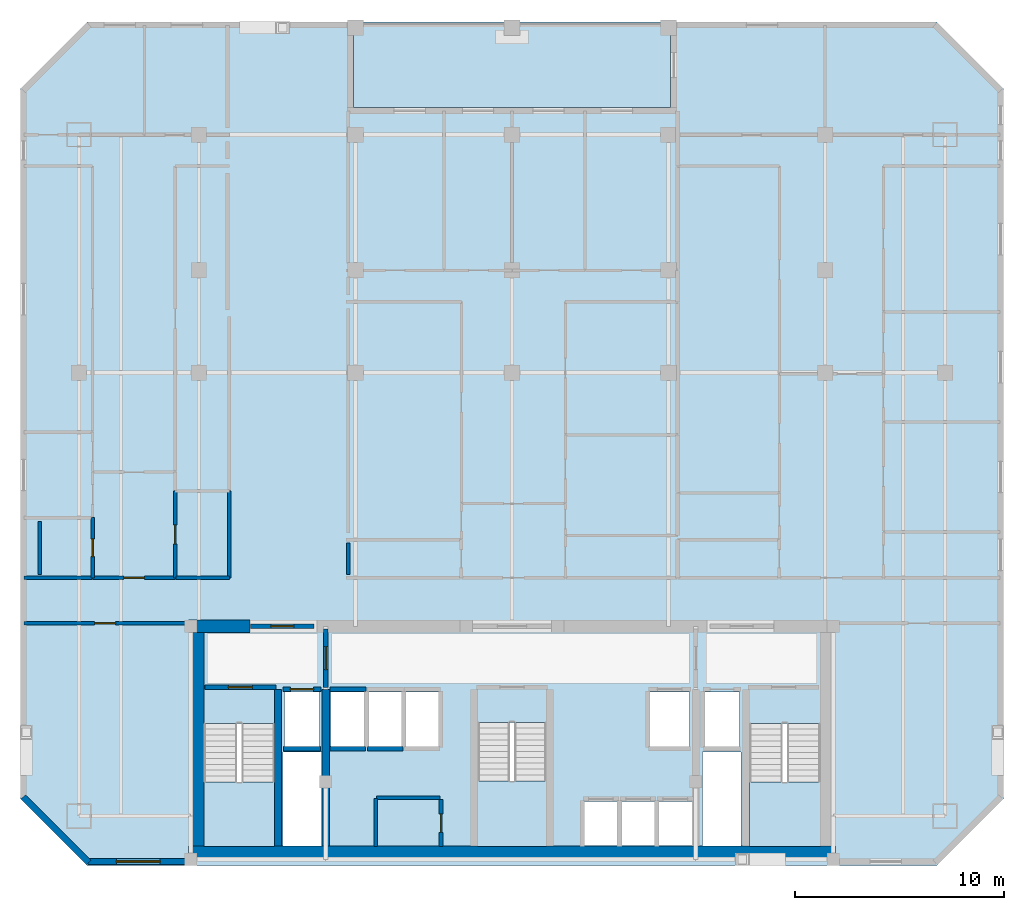
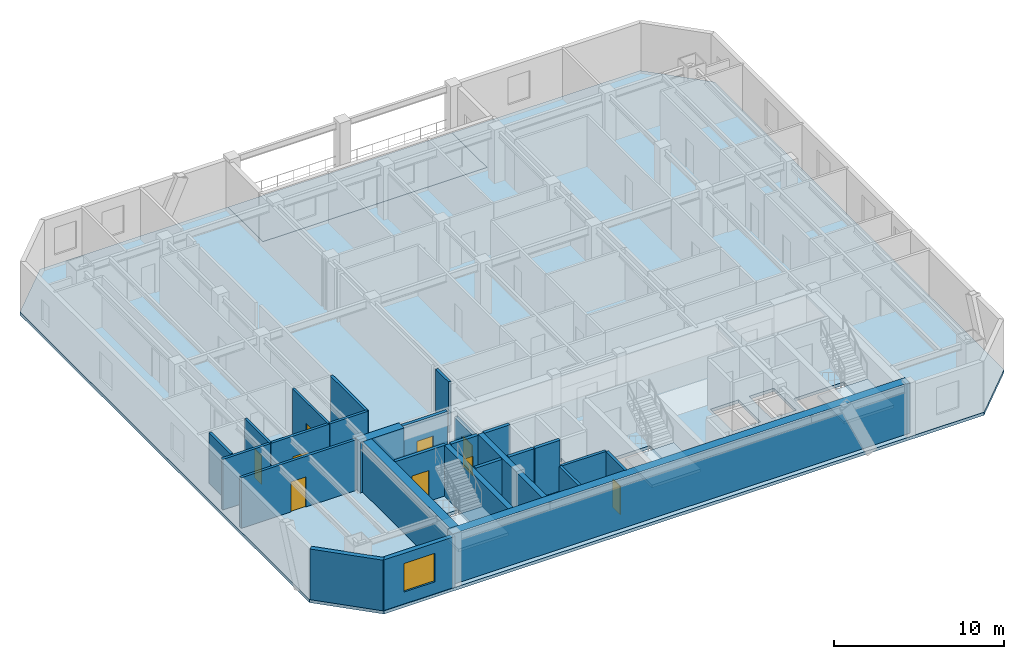
# One storey, part 2 of 8: 27 walls, 9 doors, 5 slabs, 1 window, 10 openings, 3 elements without a shape of their own.
"""IFC4 building model written with IfcOpenShell, lengths in metres."""

import ifcopenshell
import ifcopenshell.guid

model = None  # the IFC model being written
_history = None  # IfcOwnerHistory: only IFC2X3 demands one
_inside = {}  # id of a spatial element -> (the spatial element, [elements in it])
_under = {}  # id of a project, library or spatial element -> (it, [spatial elements below it])
_declared = {}  # id of a project -> (the project, [libraries it declares])
_typed = {}  # id of a type object -> (the type object, [elements of that type])
_made_of = {}  # id of a material, layer set ... -> (it, [elements and type objects made of it])


def new_model(schema):
    """Start an empty IFC model of exactly this schema.

    Asked for "IFC4X3", IfcOpenShell would pick the latest addendum, in which some entities
    have other attributes; the version numbers below select the first issue.
    IFC2X3 requires an IfcOwnerHistory on every rooted entity: one is made here for all.
    """
    global model, _history
    if schema == "IFC4X3":
        model = ifcopenshell.file(schema_version=(4, 3, 0, 0))
    else:
        model = ifcopenshell.file(schema=schema)
    _inside.clear()
    _under.clear()
    _declared.clear()
    _typed.clear()
    _made_of.clear()
    _history = None
    if model.schema == "IFC2X3":
        org = make("IfcOrganization", Name="unknown")
        user = make(
            "IfcPersonAndOrganization",
            ThePerson=make("IfcPerson", FamilyName="unknown"),
            TheOrganization=org,
        )
        app = make(
            "IfcApplication",
            ApplicationDeveloper=org,
            Version="unknown",
            ApplicationFullName="unknown",
            ApplicationIdentifier="unknown",
        )
        _history = make(
            "IfcOwnerHistory",
            OwningUser=user,
            OwningApplication=app,
            ChangeAction="ADDED",
            CreationDate=0,
        )
    return model


def make(cls, **values):
    """One entity of the class cls with the attributes given. An attribute that is None is left unset."""
    return model.create_entity(
        cls, **{name: value for name, value in values.items() if value is not None}
    )


def rooted(cls, **values):
    """An entity with a GlobalId (a new one), such as an element, a storey or a relation."""
    return make(cls, GlobalId=ifcopenshell.guid.new(), OwnerHistory=_history, **values)


def si_unit(unit_type, name, prefix=None):
    """IfcSIUnit, for example si_unit("LENGTHUNIT", "METRE", prefix="MILLI")."""
    return make("IfcSIUnit", UnitType=unit_type, Prefix=prefix, Name=name)


def assignment(units):
    """IfcUnitAssignment: the units of a project."""
    return None if units is None else make("IfcUnitAssignment", Units=units)


def point(xyz):
    """IfcCartesianPoint."""
    return None if xyz is None else make("IfcCartesianPoint", Coordinates=xyz)


def direction(xyz):
    """IfcDirection."""
    return None if xyz is None else make("IfcDirection", DirectionRatios=xyz)


def frame(location, z_axis=None, x_axis=None):
    """IfcAxis2Placement3D, a coordinate frame: its origin and axes. An axis left out is left unset."""
    return make(
        "IfcAxis2Placement3D",
        Location=point(location),
        Axis=direction(z_axis),
        RefDirection=direction(x_axis),
    )


def frame_2d(location, x_axis=None):
    """IfcAxis2Placement2D, a coordinate frame in the plane: its origin and x axis."""
    return make(
        "IfcAxis2Placement2D", Location=point(location), RefDirection=direction(x_axis)
    )


def origin():
    """The frame at (0, 0, 0) with its axes left unset."""
    return frame((0.0, 0.0, 0.0))


def place(relative_to, where):
    """IfcLocalPlacement: puts the frame where relative to a parent placement (None: the world)."""
    return make(
        "IfcLocalPlacement", PlacementRelTo=relative_to, RelativePlacement=where
    )


def context(
    kind, dimensions, precision=None, world=None, true_north=None, identifier=None
):
    """IfcGeometricRepresentationContext, for example the 3D "Model" context."""
    return make(
        "IfcGeometricRepresentationContext",
        ContextIdentifier=identifier,
        ContextType=kind,
        CoordinateSpaceDimension=dimensions,
        Precision=precision,
        WorldCoordinateSystem=world,
        TrueNorth=true_north,
    )


def subcontext(parent, identifier, kind, view, scale=None):
    """IfcGeometricRepresentationSubContext, for example "Body" below "Model"."""
    return make(
        "IfcGeometricRepresentationSubContext",
        ContextIdentifier=identifier,
        ContextType=kind,
        ParentContext=parent,
        TargetScale=scale,
        TargetView=view,
    )


def project(units=None, contexts=None):
    """IfcProject with its units and contexts."""
    return rooted(
        "IfcProject",
        Name="project",
        RepresentationContexts=contexts,
        UnitsInContext=assignment(units),
    )


def spatial(cls, under=None, at=None, **own):
    """A site, building, storey or space (cls), placed at a placement, below another one or the project."""
    s = rooted(cls, ObjectPlacement=at, **own)
    if under is not None:
        _under.setdefault(under.id(), (under, []))[1].append(s)
    return s


def polyline(points):
    """IfcPolyline through the points."""
    return make("IfcPolyline", Points=[point(p) for p in points])


def profile(cls, at=None, kind="AREA", **sizes):
    """A parametric profile (cls). Its sizes go by their IFC names, for example OverallWidth=200.0."""
    return make(cls, ProfileType=kind, Position=at, **sizes)


def rectangle(**sizes):
    """IfcRectangleProfileDef."""
    return profile("IfcRectangleProfileDef", **sizes)


def outline(outer, holes=None, kind="AREA"):
    """IfcArbitraryClosedProfileDef: a profile drawn as a closed curve; with holes, ...WithVoids."""
    if holes is None:
        return make("IfcArbitraryClosedProfileDef", ProfileType=kind, OuterCurve=outer)
    return make(
        "IfcArbitraryProfileDefWithVoids",
        ProfileType=kind,
        OuterCurve=outer,
        InnerCurves=holes,
    )


def extrude(swept, where, along, depth):
    """IfcExtrudedAreaSolid: the profile swept, set in the frame where, extruded along a direction by depth."""
    return make(
        "IfcExtrudedAreaSolid",
        SweptArea=swept,
        Position=where,
        ExtrudedDirection=direction(along),
        Depth=depth,
    )


def shape(context_of_items, identifier, shape_type, items):
    """IfcShapeRepresentation: the items that make up one representation, for example the "Body"."""
    return make(
        "IfcShapeRepresentation",
        ContextOfItems=context_of_items,
        RepresentationIdentifier=identifier,
        RepresentationType=shape_type,
        Items=items,
    )


def material(Name=None, Category=None):
    """IfcMaterial."""
    return make("IfcMaterial", Name=Name, Category=Category)


def layer(
    of_material, thickness, ventilated=None, Name=None, Category=None, Priority=None
):
    """IfcMaterialLayer: one layer of a wall or slab, of a material (None: an air gap)."""
    return make(
        "IfcMaterialLayer",
        Material=of_material,
        LayerThickness=thickness,
        IsVentilated=ventilated,
        Name=Name,
        Category=Category,
        Priority=Priority,
    )


def layer_set(layers, Name=None):
    """IfcMaterialLayerSet."""
    return make("IfcMaterialLayerSet", MaterialLayers=layers, LayerSetName=Name)


def made_of(thing, what):
    """Note that an element or type object is made of a material, layer set ...; save() writes the relation."""
    if what is not None:
        _made_of.setdefault(what.id(), (what, []))[1].append(thing)
    return thing


def type_object(cls, material=None, **own):
    """A type object (cls), such as IfcWallType, which elements share."""
    return made_of(rooted(cls, **own), material)


def element(
    cls,
    number,
    at=None,
    inside=None,
    cuts=None,
    type_object=None,
    material=None,
    context=None,
    identifier="Body",
    shape_type=None,
    held_by="IfcProductDefinitionShape",
    body=None,
    shapes=None,
    **own,
):
    """One element of the class cls, such as IfcWall. Its Tag is "e" and its number.

    at: its placement. inside: the storey or other place that contains it. cuts: it is an
    opening in that element (IfcRelVoidsElement). A single representation is given by context,
    identifier, shape_type and body (its items); several are given by shapes. held_by: the class
    of the entity that holds the representations. save() writes the other relations.
    """
    e = rooted(cls, Tag="e%d" % number, ObjectPlacement=at, **own)
    if body is not None:
        shapes = [shape(context, identifier, shape_type, body)]
    if shapes is not None:
        e.Representation = make(held_by, Representations=shapes)
    if inside is not None:
        _inside.setdefault(inside.id(), (inside, []))[1].append(e)
    if cuts is not None:
        rooted(
            "IfcRelVoidsElement", RelatingBuildingElement=cuts, RelatedOpeningElement=e
        )
    if type_object is not None:
        _typed.setdefault(type_object.id(), (type_object, []))[1].append(e)
    return made_of(e, material)


def fill(opening, filler):
    """IfcRelFillsElement: the door or window that sits in an opening."""
    return rooted(
        "IfcRelFillsElement",
        RelatingOpeningElement=opening,
        RelatedBuildingElement=filler,
    )


def aggregate(whole, parts):
    """IfcRelAggregates: a whole, such as a stair, and the parts it consists of."""
    return rooted("IfcRelAggregates", RelatingObject=whole, RelatedObjects=parts)


def save(model, path):
    """Write the relations noted so far, then the file.

    IfcRelAggregates (storeys below a building ...), IfcRelContainedInSpatialStructure (elements
    in a storey), IfcRelDefinesByType, IfcRelAssociatesMaterial and IfcRelDeclares: one each for
    every whole, place, type object, material and project.
    """
    for whole, parts in _under.values():
        aggregate(whole, parts)
    for where, things in _inside.values():
        rooted(
            "IfcRelContainedInSpatialStructure",
            RelatedElements=things,
            RelatingStructure=where,
        )
    for kind, things in _typed.values():
        rooted("IfcRelDefinesByType", RelatedObjects=things, RelatingType=kind)
    for what, things in _made_of.values():
        rooted("IfcRelAssociatesMaterial", RelatedObjects=things, RelatingMaterial=what)
    for by, libraries in _declared.values():
        rooted("IfcRelDeclares", RelatingContext=by, RelatedDefinitions=libraries)
    model.write(path)


model = new_model("IFC4")

# Units and contexts
model_context = context("Model", 3, precision=1e-05, world=origin(), true_north=direction((0.0, 1.0)))
body_context = subcontext(model_context, "Body", "Model", "MODEL_VIEW")
ifc_project = project(units=[si_unit("LENGTHUNIT", "METRE"), si_unit("AREAUNIT", "SQUARE_METRE"), si_unit("VOLUMEUNIT", "CUBIC_METRE"), si_unit("PLANEANGLEUNIT", "RADIAN"), si_unit("MASSUNIT", "GRAM", prefix="KILO")], contexts=[model_context])

# Site, building, storey
site_placement = place(None, origin())
site = spatial("IfcSite", under=ifc_project, at=site_placement, CompositionType="ELEMENT")
building_placement = place(site_placement, origin())
building = spatial("IfcBuilding", under=site, at=building_placement, Name="Ventersveld Concourse Tower", CompositionType="ELEMENT")
storey_placement = place(building_placement, frame((0.0, 0.0, 192.60009765625)))
storey = spatial("IfcBuildingStorey", under=building, at=storey_placement, Name="L47", CompositionType="ELEMENT", Elevation=192.60009765625)

# Slabs
ifc_material_1 = material(Name="Concrete C50/60", Category="concrete")
ifc_layer_1 = layer(ifc_material_1, 0.219970703125)
ifc_layer_set_1 = layer_set([ifc_layer_1], Name="Concrete C50/60")
slab_type_1 = type_object("IfcSlabType", Name="SL-FLR-220", PredefinedType="FLOOR", material=ifc_layer_set_1)
slab_1_placement = place(storey_placement, frame((0.0, 0.0, -0.22021484375)))
element("IfcSlab", 1, at=slab_1_placement, inside=storey, type_object=slab_type_1, Name="L47 Composite Floor Slab", PredefinedType="FLOOR", context=body_context, shape_type="SweptSolid", body=[
    extrude(outline(polyline([(8.39990234375, 0.0), (49.10009765625, 0.0), (52.300048828125, 3.199951171875), (52.300048828125, 37.199951171875), (49.10009765625, 40.39990234375), (36.35009765625, 40.39990234375), (36.35009765625, 36.300048828125), (21.14990234375, 36.300048828125), (21.14990234375, 40.39990234375), (8.39990234375, 40.39990234375), (5.199951171875, 37.199951171875), (5.199951171875, 3.199951171875), (8.39990234375, 0.0)]), holes=[polyline([(13.97998046875, 6.794921875), (13.97998046875, 0.89990234375), (17.3798828125, 0.89990234375), (17.3798828125, 6.794921875), (13.97998046875, 6.794921875)]), polyline([(40.1201171875, 6.794921875), (40.1201171875, 0.89990234375), (43.52001953125, 0.89990234375), (43.52001953125, 6.794921875), (40.1201171875, 6.794921875)]), polyline([(27.10009765625, 6.844970703125), (27.10009765625, 0.89990234375), (30.39990234375, 0.89990234375), (30.39990234375, 6.844970703125), (27.10009765625, 6.844970703125)]), polyline([(17.85009765625, 5.699951171875), (19.530029296875, 5.699951171875), (19.530029296875, 8.300048828125), (17.85009765625, 8.300048828125), (17.85009765625, 5.699951171875)]), polyline([(37.969970703125, 5.699951171875), (39.64990234375, 5.699951171875), (39.64990234375, 8.300048828125), (37.969970703125, 8.300048828125), (37.969970703125, 5.699951171875)]), polyline([(35.35009765625, 5.699951171875), (37.25, 5.699951171875), (37.25, 8.300048828125), (35.35009765625, 8.300048828125), (35.35009765625, 5.699951171875)]), polyline([(32.2099609375, 0.949951171875), (33.81005859375, 0.949951171875), (33.81005859375, 3.050048828125), (32.2099609375, 3.050048828125), (32.2099609375, 0.949951171875)]), polyline([(33.989990234375, 0.949951171875), (35.590087890625, 0.949951171875), (35.590087890625, 3.050048828125), (33.989990234375, 3.050048828125), (33.989990234375, 0.949951171875)]), polyline([(35.77001953125, 0.949951171875), (37.3701171875, 0.949951171875), (37.3701171875, 3.050048828125), (35.77001953125, 3.050048828125), (35.77001953125, 0.949951171875)]), polyline([(20.090087890625, 5.699951171875), (21.68994140625, 5.699951171875), (21.68994140625, 8.300048828125), (20.090087890625, 8.300048828125), (20.090087890625, 5.699951171875)]), polyline([(21.8701171875, 5.699951171875), (23.469970703125, 5.699951171875), (23.469970703125, 8.300048828125), (21.8701171875, 8.300048828125), (21.8701171875, 5.699951171875)]), polyline([(23.64990234375, 5.699951171875), (25.25, 5.699951171875), (25.25, 8.300048828125), (23.64990234375, 8.300048828125), (23.64990234375, 5.699951171875)]), polyline([(17.780029296875, 0.919921875), (19.6201171875, 0.919921875), (19.6201171875, 5.419921875), (17.780029296875, 5.419921875), (17.780029296875, 0.919921875)]), polyline([(37.8798828125, 0.919921875), (39.719970703125, 0.919921875), (39.719970703125, 5.419921875), (37.8798828125, 5.419921875), (37.8798828125, 0.919921875)])]), origin(), (0.0, 0.0, 1.0), 0.22021484375),
])
slab_2_placement = place(storey_placement, frame((0.0, 0.0, -0.22021484375)))
element("IfcSlab", 2, at=slab_2_placement, inside=storey, type_object=slab_type_1, Name="L47 Outdoor Terrace Slab NOTCH-N", PredefinedType="FLOOR", context=body_context, shape_type="SweptSolid", body=[
    extrude(outline(polyline([(21.14990234375, 36.300048828125), (36.35009765625, 36.300048828125), (36.35009765625, 40.39990234375), (21.14990234375, 40.39990234375), (21.14990234375, 36.300048828125)])), origin(), (0.0, 0.0, 1.0), 0.22021484375),
])

# Stair, slab
stair_type_1 = type_object("IfcStairType", Name="ST-DOG-160", PredefinedType="HALF_TURN_STAIR", material=ifc_material_1)
stair_1_placement = place(storey_placement, origin())
stair_1 = element("IfcStair", 3, at=stair_1_placement, inside=storey, type_object=stair_type_1, Name="L47 Protected Tower Escape Stair ST-01", PredefinedType="HALF_TURN_STAIR")
ifc_layer_2 = layer(ifc_material_1, 0.199951171875)
ifc_layer_set_2 = layer_set([ifc_layer_2], Name="Concrete C50/60")
slab_type_2 = type_object("IfcSlabType", Name="SL-LND-200", PredefinedType="LANDING", material=ifc_layer_set_2)
slab_3_placement = place(storey_placement, frame((0.0, 0.0, 1.724853515625)))
slab_3 = element("IfcSlab", 4, at=slab_3_placement, type_object=slab_type_2, Name="ST-01 landing 1", PredefinedType="LANDING", context=body_context, shape_type="SweptSolid", body=[
    extrude(outline(polyline([(13.97998046875, 4.0), (13.97998046875, 0.89990234375), (17.3798828125, 0.89990234375), (17.3798828125, 4.0), (13.97998046875, 4.0)])), origin(), (0.0, 0.0, 1.0), 0.199951171875),
])
aggregate(stair_1, [slab_3])

stair_2_placement = place(storey_placement, origin())
stair_2 = element("IfcStair", 5, at=stair_2_placement, inside=storey, type_object=stair_type_1, Name="L47 Protected Tower Escape Stair ST-02", PredefinedType="HALF_TURN_STAIR")
slab_4_placement = place(storey_placement, frame((0.0, 0.0, 1.724853515625)))
slab_4 = element("IfcSlab", 6, at=slab_4_placement, type_object=slab_type_2, Name="ST-02 landing 1", PredefinedType="LANDING", context=body_context, shape_type="SweptSolid", body=[
    extrude(outline(polyline([(40.1201171875, 4.0), (40.1201171875, 0.89990234375), (43.52001953125, 0.89990234375), (43.52001953125, 4.0), (40.1201171875, 4.0)])), origin(), (0.0, 0.0, 1.0), 0.199951171875),
])
aggregate(stair_2, [slab_4])

stair_type_2 = type_object("IfcStairType", Name="ST-DOG-155", PredefinedType="HALF_TURN_STAIR", material=ifc_material_1)
stair_3_placement = place(storey_placement, origin())
stair_3 = element("IfcStair", 7, at=stair_3_placement, inside=storey, type_object=stair_type_2, Name="L47 Protected Central Core Escape Stair ST-03", PredefinedType="HALF_TURN_STAIR")
slab_5_placement = place(storey_placement, frame((0.0, 0.0, 1.724853515625)))
slab_5 = element("IfcSlab", 8, at=slab_5_placement, type_object=slab_type_2, Name="ST-03 landing 1", PredefinedType="LANDING", context=body_context, shape_type="SweptSolid", body=[
    extrude(outline(polyline([(27.10009765625, 4.050048828125), (27.10009765625, 0.89990234375), (30.39990234375, 0.89990234375), (30.39990234375, 4.050048828125), (27.10009765625, 4.050048828125)])), origin(), (0.0, 0.0, 1.0), 0.199951171875),
])
aggregate(stair_3, [slab_5])

# Walls
ifc_layer_3 = layer(ifc_material_1, 0.35009765625)
ifc_layer_set_3 = layer_set([ifc_layer_3], Name="Concrete C50/60")
wall_type_1 = type_object("IfcWallType", Name="WL-CORE-350U", PredefinedType="SHEAR", material=ifc_layer_set_3)
for number, where, z_axis, x_axis, name in (
    (9, (17.5400390625, 0.919921875, 0.0), (0.0, 0.0, 1.0), (0.0, 1.0, 0.0), "L47 Core Internal Shear Web W-ST1-E"),
    (10, (19.820068359375, 0.919921875, 0.0), (0.0, 0.0, 1.0), (0.0, 1.0, 0.0), "L47 Core Internal Shear Web W-FF1-E"),
):
    element("IfcWall", number, at=place(storey_placement, frame(where, z_axis=z_axis, x_axis=x_axis)), inside=storey, type_object=wall_type_1, Name=name, PredefinedType="SHEAR", context=body_context, shape_type="SweptSolid", body=[
        extrude(rectangle(XDim=7.5, YDim=0.35009765625, at=frame_2d((3.75, 0.0))), origin(), (0.0, 0.0, 1.0), 3.6298828125),
    ])
ifc_layer_4 = layer(ifc_material_1, 0.60009765625)
ifc_layer_set_4 = layer_set([ifc_layer_4], Name="Concrete C50/60")
wall_type_2 = type_object("IfcWallType", Name="WL-CORE-600", PredefinedType="SHEAR", material=ifc_layer_set_4)
wall_1_placement = place(storey_placement, frame((13.25, 0.6201171875, 0.0), z_axis=(0.0, 0.0, 1.0), x_axis=(1.0, 0.0, 0.0)))
element("IfcWall", 11, at=wall_1_placement, inside=storey, type_object=wall_type_2, Name="L47 Rear Core South Shear Wall", PredefinedType="SHEAR", context=body_context, shape_type="SweptSolid", body=[
    extrude(rectangle(XDim=31.0, YDim=0.60009765625, at=frame_2d((15.5, 0.0))), origin(), (0.0, 0.0, 1.0), 3.6298828125),
])
wall_2_placement = place(storey_placement, frame((13.699951171875, 0.919921875, 0.0), z_axis=(0.0, 0.0, 1.0), x_axis=(0.0, 1.0, 0.0)))
element("IfcWall", 12, at=wall_2_placement, inside=storey, type_object=wall_type_2, Name="L47 Rear Core West Shear Wall", PredefinedType="SHEAR", context=body_context, shape_type="SweptSolid", body=[
    extrude(rectangle(XDim=10.530029296875, YDim=0.60009765625, at=frame_2d((5.26513671875, 0.0))), origin(), (0.0, 0.0, 1.0), 3.6298828125),
])
wall_3_placement = place(storey_placement, frame((13.25, 11.449951171875, 0.0), z_axis=(0.0, 0.0, 1.0), x_axis=(1.0, 0.0, 0.0)))
element("IfcWall", 13, at=wall_3_placement, inside=storey, type_object=wall_type_2, Name="L47 Rear Core North Shear Wall NW", PredefinedType="SHEAR", context=body_context, shape_type="SweptSolid", body=[
    extrude(rectangle(XDim=2.949951171875, YDim=0.60009765625, at=frame_2d((1.47509765625, 0.0))), origin(), (0.0, 0.0, 1.0), 3.6298828125),
])

# Wall, opening, door
ifc_material_2 = material(Name="Fire-rated autoclaved aerated masonry blockwork", Category="masonry")
ifc_layer_5 = layer(ifc_material_2, 0.179931640625)
ifc_layer_set_5 = layer_set([ifc_layer_5], Name="Fire-rated autoclaved aerated masonry blockwork")
wall_type_3 = type_object("IfcWallType", Name="WL-CORR-180", PredefinedType="PARTITIONING", material=ifc_layer_set_5)
wall_4_placement = place(storey_placement, frame((25.35009765625, 0.89990234375, 0.0), z_axis=(0.0, 0.0, 1.0), x_axis=(0.0, 1.0, 0.0)))
wall_4 = element("IfcWall", 14, at=wall_4_placement, inside=storey, type_object=wall_type_3, Name="L47 Core Passage Wall SP-L47-RECB1", PredefinedType="PARTITIONING", context=body_context, shape_type="SweptSolid", body=[
    extrude(rectangle(XDim=2.239990234375, YDim=0.179931640625, at=frame_2d((1.1201171875, 0.0))), origin(), (0.0, 0.0, 1.0), 3.6298828125),
])
opening_1_placement = place(wall_4_placement, frame((0.679931640625, 0.0, 0.0)))
opening_1 = element("IfcOpeningElement", 15, at=opening_1_placement, cuts=wall_4, Name="Opening FD5", PredefinedType="OPENING", context=body_context, shape_type="SweptSolid", body=[
    extrude(rectangle(XDim=0.8798828125, YDim=2.050048828125, at=frame_2d((0.43994140625, 1.02490234375))), frame((0.0, 0.10009765625, 0.0), z_axis=(0.0, -1.0, 0.0), x_axis=(1.0, 0.0, 0.0)), (0.0, 0.0, 1.0), 0.199951171875),
])
ifc_material_3 = material(Name="Galvanised painted steel", Category="steel")
door_type_1 = type_object("IfcDoorType", Name="DR-RISER-088", OperationType="NOTDEFINED", PredefinedType="DOOR", material=ifc_material_3)
door_1_placement = place(opening_1_placement, origin())
door_1 = element("IfcDoor", 16, at=door_1_placement, inside=storey, type_object=door_type_1, Name="L47 Core Room Door L47 Reclaimed Core Residents Reading Room (CD-L47-2295)", OperationType="SINGLE_SWING_RIGHT", OverallHeight=2.050048828125, OverallWidth=0.8798828125, PredefinedType="DOOR", context=body_context, shape_type="SweptSolid", body=[
    extrude(rectangle(XDim=0.8798828125, YDim=2.050048828125, at=frame_2d((0.43994140625, 1.02490234375))), frame((0.0, 0.02490234375, 0.0), z_axis=(0.0, -1.0, 0.0), x_axis=(1.0, 0.0, 0.0)), (0.0, 0.0, 1.0), 0.050048828125),
])
fill(opening_1, door_1)

# Walls
wall_5_placement = place(storey_placement, frame((22.260009765625, 3.22998046875, 0.0), z_axis=(0.0, 0.0, 1.0), x_axis=(1.0, 0.0, 0.0)))
element("IfcWall", 17, at=wall_5_placement, inside=storey, type_object=wall_type_3, Name="L47 Core Top Wall SP-L47-RECB1", PredefinedType="PARTITIONING", context=body_context, shape_type="SweptSolid", body=[
    extrude(rectangle(XDim=3.0400390625, YDim=0.179931640625, at=frame_2d((1.52001953125, 0.0))), origin(), (0.0, 0.0, 1.0), 3.6298828125),
])
wall_6_placement = place(storey_placement, frame((22.219970703125, 0.909912109375, 0.0), z_axis=(0.0, 0.0, 1.0), x_axis=(0.0, 1.0, 0.0)))
element("IfcWall", 18, at=wall_6_placement, inside=storey, type_object=wall_type_3, Name="L47 Core West Wall SP-L47-RECB1", PredefinedType="PARTITIONING", context=body_context, shape_type="SweptSolid", body=[
    extrude(rectangle(XDim=2.280029296875, YDim=0.179931640625, at=frame_2d((1.14013671875, 0.0))), origin(), (0.0, 0.0, 1.0), 3.6298828125),
])

# Wall, opening, door
wall_7_placement = place(storey_placement, frame((5.37255859375, 11.60009765625, 0.0), z_axis=(0.0, 0.0, 1.0), x_axis=(1.0, 0.0, 0.0)))
wall_7 = element("IfcWall", 19, at=wall_7_placement, inside=storey, type_object=wall_type_3, Name="L47 Interior Partition SP-L47-SW-GAL-SP-L47-COR", PredefinedType="PARTITIONING", context=body_context, shape_type="SweptSolid", body=[
    extrude(rectangle(XDim=7.7724609375, YDim=0.179931640625, at=frame_2d((3.88623046875, 0.0))), origin(), (0.0, 0.0, 1.0), 3.6298828125),
])
opening_2_placement = place(wall_7_placement, frame((3.38623046875, 0.0, 0.0)))
opening_2 = element("IfcOpeningElement", 20, at=opening_2_placement, cuts=wall_7, Name="Opening FD3", PredefinedType="OPENING", context=body_context, shape_type="SweptSolid", body=[
    extrude(rectangle(XDim=1.0, YDim=2.14990234375, at=frame_2d((0.5, 1.074951171875))), frame((0.0, 0.10009765625, 0.0), z_axis=(0.0, -1.0, 0.0), x_axis=(1.0, 0.0, 0.0)), (0.0, 0.0, 1.0), 0.199951171875),
])
ifc_material_4 = material(Name="Solid-core hardwood veneer timber", Category="wood")
door_type_2 = type_object("IfcDoorType", Name="DR-FLAT-100", OperationType="NOTDEFINED", PredefinedType="DOOR", material=ifc_material_4)
door_2_placement = place(opening_2_placement, origin())
door_2 = element("IfcDoor", 21, at=door_2_placement, inside=storey, type_object=door_type_2, Name="L47 Interior Door SP-L47-SW-GAL to SP-L47-COR (D-L47-2296)", OperationType="SINGLE_SWING_RIGHT", OverallHeight=2.14990234375, OverallWidth=1.0, PredefinedType="DOOR", context=body_context, shape_type="SweptSolid", body=[
    extrude(rectangle(XDim=1.0, YDim=2.14990234375, at=frame_2d((0.5, 1.074951171875))), frame((0.0, 0.02490234375, 0.0), z_axis=(0.0, -1.0, 0.0), x_axis=(1.0, 0.0, 0.0)), (0.0, 0.0, 1.0), 0.050048828125),
])
fill(opening_2, door_2)

wall_8_placement = place(storey_placement, frame((8.65380859375, 13.77001953125, 0.0), z_axis=(0.0, 0.0, 1.0), x_axis=(1.0, 0.0, 0.0)))
wall_8 = element("IfcWall", 22, at=wall_8_placement, inside=storey, type_object=wall_type_3, Name="L47 Interior Partition SP-L47-COR-SP-L47-47NW-FOY", PredefinedType="PARTITIONING", context=body_context, shape_type="SweptSolid", body=[
    extrude(rectangle(XDim=3.969970703125, YDim=0.179931640625, at=frame_2d((1.98486328125, 0.0))), origin(), (0.0, 0.0, 1.0), 3.6298828125),
])
opening_3_placement = place(wall_8_placement, frame((1.485107421875, 0.0, 0.0)))
opening_3 = element("IfcOpeningElement", 23, at=opening_3_placement, cuts=wall_8, Name="Opening FD3", PredefinedType="OPENING", context=body_context, shape_type="SweptSolid", body=[
    extrude(rectangle(XDim=1.0, YDim=2.14990234375, at=frame_2d((0.5, 1.074951171875))), frame((0.0, 0.10009765625, 0.0), z_axis=(0.0, -1.0, 0.0), x_axis=(1.0, 0.0, 0.0)), (0.0, 0.0, 1.0), 0.199951171875),
])
door_3_placement = place(opening_3_placement, origin())
door_3 = element("IfcDoor", 24, at=door_3_placement, inside=storey, type_object=door_type_2, Name="L47 Interior Door SP-L47-COR to SP-L47-47NW-FOY (FD-L47-2298)", OperationType="SINGLE_SWING_RIGHT", OverallHeight=2.14990234375, OverallWidth=1.0, PredefinedType="DOOR", context=body_context, shape_type="SweptSolid", body=[
    extrude(rectangle(XDim=1.0, YDim=2.14990234375, at=frame_2d((0.5, 1.074951171875))), frame((0.0, 0.02490234375, 0.0), z_axis=(0.0, -1.0, 0.0), x_axis=(1.0, 0.0, 0.0)), (0.0, 0.0, 1.0), 0.050048828125),
])
fill(opening_3, door_3)

# Walls
wall_9_placement = place(storey_placement, frame((5.37255859375, 13.77001953125, 0.0), z_axis=(0.0, 0.0, 1.0), x_axis=(1.0, 0.0, 0.0)))
element("IfcWall", 25, at=wall_9_placement, inside=storey, type_object=wall_type_3, Name="L47 Interior Partition SP-L47-COR-SP-L47-47NW-BATH", PredefinedType="PARTITIONING", context=body_context, shape_type="SweptSolid", body=[
    extrude(rectangle(XDim=3.251220703125, YDim=0.179931640625, at=frame_2d((1.62548828125, 0.0))), origin(), (0.0, 0.0, 1.0), 3.6298828125),
])
wall_10_placement = place(storey_placement, frame((15.2099609375, 13.764892578125, 0.0), z_axis=(0.0, 0.0, 1.0), x_axis=(0.0, 1.0, 0.0)))
element("IfcWall", 26, at=wall_10_placement, inside=storey, type_object=wall_type_3, Name="L47 Interior Partition SP-L47-COR-SP-L47-47NW-KIT", PredefinedType="PARTITIONING", context=body_context, shape_type="SweptSolid", body=[
    extrude(rectangle(XDim=4.17138671875, YDim=0.179931640625, at=frame_2d((2.085693359375, 0.0))), origin(), (0.0, 0.0, 1.0), 3.6298828125),
])
wall_11_placement = place(storey_placement, frame((12.65380859375, 13.77001953125, 0.0), z_axis=(0.0, 0.0, 1.0), x_axis=(1.0, 0.0, 0.0)))
element("IfcWall", 27, at=wall_11_placement, inside=storey, type_object=wall_type_3, Name="L47 Interior Partition SP-L47-COR-SP-L47-47NW-KIT", PredefinedType="PARTITIONING", context=body_context, shape_type="SweptSolid", body=[
    extrude(rectangle(XDim=2.561279296875, YDim=0.179931640625, at=frame_2d((1.28076171875, 0.0))), origin(), (0.0, 0.0, 1.0), 3.6298828125),
])
ifc_layer_6 = layer(ifc_material_2, 0.219970703125)
ifc_layer_set_6 = layer_set([ifc_layer_6], Name="Fire-rated autoclaved aerated masonry blockwork")
wall_type_4 = type_object("IfcWallType", Name="WL-HOIST-220", PredefinedType="SOLIDWALL", material=ifc_layer_set_6)
wall_12_placement = place(storey_placement, frame((17.800048828125, 5.590087890625, 0.0), z_axis=(0.0, 0.0, 1.0), x_axis=(1.0, 0.0, 0.0)))
element("IfcWall", 28, at=wall_12_placement, inside=storey, type_object=wall_type_4, Name="L47 Lift Hoistway Back Wall FFL-01", PredefinedType="SOLIDWALL", context=body_context, shape_type="SweptSolid", body=[
    extrude(rectangle(XDim=1.780029296875, YDim=0.219970703125, at=frame_2d((0.89013671875, 0.0))), origin(), (0.0, 0.0, 1.0), 3.6298828125),
])

# Wall, opening, door
wall_13_placement = place(storey_placement, frame((17.780029296875, 8.429931640625, 0.0), z_axis=(0.0, 0.0, 1.0), x_axis=(1.0, 0.0, 0.0)))
wall_13 = element("IfcWall", 29, at=wall_13_placement, inside=storey, type_object=wall_type_4, Name="L47 Lift Hoistway Front Wall FFL-01", PredefinedType="SOLIDWALL", context=body_context, shape_type="SweptSolid", body=[
    extrude(rectangle(XDim=1.820068359375, YDim=0.219970703125, at=frame_2d((0.91015625, 0.0))), origin(), (0.0, 0.0, 1.0), 3.6298828125),
])
opening_4_placement = place(wall_13_placement, frame((0.35009765625, 0.0, 0.0)))
opening_4 = element("IfcOpeningElement", 30, at=opening_4_placement, cuts=wall_13, Name="Opening LD1", PredefinedType="OPENING", context=body_context, shape_type="SweptSolid", body=[
    extrude(rectangle(XDim=1.1201171875, YDim=2.25, at=frame_2d((0.56005859375, 1.125))), frame((0.0, 0.1201171875, 0.0), z_axis=(0.0, -1.0, 0.0), x_axis=(1.0, 0.0, 0.0)), (0.0, 0.0, 1.0), 0.239990234375),
])
ifc_material_5 = material(Name="Brushed stainless steel 316", Category="steel")
door_type_3 = type_object("IfcDoorType", Name="LD-FF-112", OperationType="SLIDING_TO_LEFT", PredefinedType="DOOR", material=ifc_material_5)
door_4_placement = place(opening_4_placement, origin())
door_4 = element("IfcDoor", 31, at=door_4_placement, inside=storey, type_object=door_type_3, Name="L47 Lift landing door FFL-01 (LD-L47-FFL-01)", OperationType="SLIDING_TO_LEFT", OverallHeight=2.25, OverallWidth=1.1201171875, PredefinedType="DOOR", context=body_context, shape_type="SweptSolid", body=[
    extrude(rectangle(XDim=1.1201171875, YDim=2.25, at=frame_2d((0.56005859375, 1.125))), frame((0.0, 0.02490234375, 0.0), z_axis=(0.0, -1.0, 0.0), x_axis=(1.0, 0.0, 0.0)), (0.0, 0.0, 1.0), 0.050048828125),
])
fill(opening_4, door_4)

# Walls
wall_14_placement = place(storey_placement, frame((20.0400390625, 5.590087890625, 0.0), z_axis=(0.0, 0.0, 1.0), x_axis=(1.0, 0.0, 0.0)))
element("IfcWall", 32, at=wall_14_placement, inside=storey, type_object=wall_type_4, Name="L47 Lift Hoistway Back Wall PH-01", PredefinedType="SOLIDWALL", context=body_context, shape_type="SweptSolid", body=[
    extrude(rectangle(XDim=1.699951171875, YDim=0.219970703125, at=frame_2d((0.85009765625, 0.0))), origin(), (0.0, 0.0, 1.0), 3.6298828125),
])
wall_15_placement = place(storey_placement, frame((20.02001953125, 8.429931640625, 0.0), z_axis=(0.0, 0.0, 1.0), x_axis=(1.0, 0.0, 0.0)))
element("IfcWall", 33, at=wall_15_placement, inside=storey, type_object=wall_type_4, Name="L47 Lift Hoistway Front Wall PH-01", PredefinedType="SOLIDWALL", context=body_context, shape_type="SweptSolid", body=[
    extrude(rectangle(XDim=1.739990234375, YDim=0.219970703125, at=frame_2d((0.8701171875, 0.0))), origin(), (0.0, 0.0, 1.0), 3.6298828125),
])
wall_16_placement = place(storey_placement, frame((21.820068359375, 5.590087890625, 0.0), z_axis=(0.0, 0.0, 1.0), x_axis=(1.0, 0.0, 0.0)))
element("IfcWall", 34, at=wall_16_placement, inside=storey, type_object=wall_type_4, Name="L47 Lift Hoistway Back Wall PH-02", PredefinedType="SOLIDWALL", context=body_context, shape_type="SweptSolid", body=[
    extrude(rectangle(XDim=1.699951171875, YDim=0.219970703125, at=frame_2d((0.85009765625, 0.0))), origin(), (0.0, 0.0, 1.0), 3.6298828125),
])

# Wall, opening, door
wall_17_placement = place(storey_placement, frame((14.0400390625, 8.52001953125, 0.0), z_axis=(0.0, 0.0, 1.0), x_axis=(1.0, 0.0, 0.0)))
wall_17 = element("IfcWall", 35, at=wall_17_placement, inside=storey, type_object=wall_type_4, Name="L47 Escape Stair ST01 Fire Wall", PredefinedType="SOLIDWALL", context=body_context, shape_type="SweptSolid", body=[
    extrude(rectangle(XDim=3.39990234375, YDim=0.219970703125, at=frame_2d((1.699951171875, 0.0))), origin(), (0.0, 0.0, 1.0), 3.6298828125),
])
opening_5_placement = place(wall_17_placement, frame((1.125, 0.0, 0.0)))
opening_5 = element("IfcOpeningElement", 36, at=opening_5_placement, cuts=wall_17, Name="Opening FD1", PredefinedType="OPENING", context=body_context, shape_type="SweptSolid", body=[
    extrude(rectangle(XDim=1.14990234375, YDim=2.199951171875, at=frame_2d((0.574951171875, 1.10009765625))), frame((0.0, 0.1201171875, 0.0), z_axis=(0.0, -1.0, 0.0), x_axis=(1.0, 0.0, 0.0)), (0.0, 0.0, 1.0), 0.239990234375),
])
door_type_4 = type_object("IfcDoorType", Name="DR-STAIR-115", OperationType="NOTDEFINED", PredefinedType="DOOR", material=ifc_material_3)
door_5_placement = place(opening_5_placement, origin())
door_5 = element("IfcDoor", 37, at=door_5_placement, inside=storey, type_object=door_type_4, Name="L47 Escape Stair Door ST01 (SD-L47-2287)", OperationType="SINGLE_SWING_LEFT", OverallHeight=2.199951171875, OverallWidth=1.14990234375, PredefinedType="DOOR", context=body_context, shape_type="SweptSolid", body=[
    extrude(rectangle(XDim=1.14990234375, YDim=2.199951171875, at=frame_2d((0.574951171875, 1.10009765625))), frame((0.0, 0.02490234375, 0.0), z_axis=(0.0, -1.0, 0.0), x_axis=(1.0, 0.0, 0.0)), (0.0, 0.0, 1.0), 0.050048828125),
])
fill(opening_5, door_5)

wall_18_placement = place(storey_placement, frame((19.820068359375, 8.52001953125, 0.0), z_axis=(0.0, 0.0, 1.0), x_axis=(0.0, 1.0, 0.0)))
wall_18 = element("IfcWall", 38, at=wall_18_placement, inside=storey, type_object=wall_type_4, Name="L47 Firefighting Lobby Smoke-Stop Wall FFLW-SEP", PredefinedType="SOLIDWALL", context=body_context, shape_type="SweptSolid", body=[
    extrude(rectangle(XDim=2.800048828125, YDim=0.219970703125, at=frame_2d((1.39990234375, 0.0))), origin(), (0.0, 0.0, 1.0), 3.08544921875),
])
opening_6_placement = place(wall_18_placement, frame((0.85009765625, 0.0, 0.0)))
opening_6 = element("IfcOpeningElement", 39, at=opening_6_placement, cuts=wall_18, Name="Opening FD2", PredefinedType="OPENING", context=body_context, shape_type="SweptSolid", body=[
    extrude(rectangle(XDim=1.10009765625, YDim=2.199951171875, at=frame_2d((0.550048828125, 1.10009765625))), frame((0.0, 0.1201171875, 0.0), z_axis=(0.0, -1.0, 0.0), x_axis=(1.0, 0.0, 0.0)), (0.0, 0.0, 1.0), 0.239990234375),
])
door_type_5 = type_object("IfcDoorType", Name="DR-FFL-110", OperationType="NOTDEFINED", PredefinedType="DOOR", material=ifc_material_3)
door_6_placement = place(opening_6_placement, origin())
door_6 = element("IfcDoor", 40, at=door_6_placement, inside=storey, type_object=door_type_5, Name="L47 Firefighting Lobby Door FFLW-SEP (FD-L47-2290)", OperationType="SINGLE_SWING_LEFT", OverallHeight=2.199951171875, OverallWidth=1.10009765625, PredefinedType="DOOR", context=body_context, shape_type="SweptSolid", body=[
    extrude(rectangle(XDim=1.10009765625, YDim=2.199951171875, at=frame_2d((0.550048828125, 1.10009765625))), frame((0.0, 0.02490234375, 0.0), z_axis=(0.0, -1.0, 0.0), x_axis=(1.0, 0.0, 0.0)), (0.0, 0.0, 1.0), 0.050048828125),
])
fill(opening_6, door_6)

wall_19_placement = place(storey_placement, frame((16.22998046875, 11.449951171875, 0.0), z_axis=(0.0, 0.0, 1.0), x_axis=(1.0, 0.0, 0.0)))
wall_19 = element("IfcWall", 41, at=wall_19_placement, inside=storey, type_object=wall_type_4, Name="L47 Core North Fire Portal FFLW-OUT", PredefinedType="SOLIDWALL", context=body_context, shape_type="SweptSolid", body=[
    extrude(rectangle(XDim=3.0400390625, YDim=0.219970703125, at=frame_2d((1.52001953125, 0.0))), origin(), (0.0, 0.0, 1.0), 3.6298828125),
])
opening_7_placement = place(wall_19_placement, frame((0.969970703125, 0.0, 0.0)))
opening_7 = element("IfcOpeningElement", 42, at=opening_7_placement, cuts=wall_19, Name="Opening FD2", PredefinedType="OPENING", context=body_context, shape_type="SweptSolid", body=[
    extrude(rectangle(XDim=1.10009765625, YDim=2.199951171875, at=frame_2d((0.550048828125, 1.10009765625))), frame((0.0, 0.1201171875, 0.0), z_axis=(0.0, -1.0, 0.0), x_axis=(1.0, 0.0, 0.0)), (0.0, 0.0, 1.0), 0.239990234375),
])
door_7_placement = place(opening_7_placement, origin())
door_7 = element("IfcDoor", 43, at=door_7_placement, inside=storey, type_object=door_type_5, Name="L47 Core Lobby Fire Door FFLW-OUT (FD-L47-2292)", OperationType="SINGLE_SWING_RIGHT", OverallHeight=2.199951171875, OverallWidth=1.10009765625, PredefinedType="DOOR", context=body_context, shape_type="SweptSolid", body=[
    extrude(rectangle(XDim=1.10009765625, YDim=2.199951171875, at=frame_2d((0.550048828125, 1.10009765625))), frame((0.0, 0.02490234375, 0.0), z_axis=(0.0, -1.0, 0.0), x_axis=(1.0, 0.0, 0.0)), (0.0, 0.0, 1.0), 0.050048828125),
])
fill(opening_7, door_7)

ifc_material_6 = material(Name="Autoclaved aerated masonry blockwork", Category="masonry")
ifc_layer_7 = layer(ifc_material_6, 0.14990234375)
ifc_layer_set_7 = layer_set([ifc_layer_7], Name="Autoclaved aerated masonry blockwork")
wall_type_5 = type_object("IfcWallType", Name="WL-INT-150", PredefinedType="PARTITIONING", material=ifc_layer_set_7)
wall_20_placement = place(storey_placement, frame((12.61865234375, 13.764892578125, 0.0), z_axis=(0.0, 0.0, 1.0), x_axis=(0.0, 1.0, 0.0)))
wall_20 = element("IfcWall", 44, at=wall_20_placement, inside=storey, type_object=wall_type_5, Name="L47 Interior Partition SP-L47-47NW-FOY-SP-L47-47NW-KIT", PredefinedType="PARTITIONING", context=body_context, shape_type="SweptSolid", body=[
    extrude(rectangle(XDim=4.17138671875, YDim=0.14990234375, at=frame_2d((2.085693359375, 0.0))), origin(), (0.0, 0.0, 1.0), 3.6298828125),
])
opening_8_placement = place(wall_20_placement, frame((1.62548828125, 0.0, 0.0)))
opening_8 = element("IfcOpeningElement", 45, at=opening_8_placement, cuts=wall_20, Name="Opening ID1", PredefinedType="OPENING", context=body_context, shape_type="SweptSolid", body=[
    extrude(rectangle(XDim=0.919921875, YDim=2.10009765625, at=frame_2d((0.4599609375, 1.050048828125))), frame((0.0, 0.0849609375, 0.0), z_axis=(0.0, -1.0, 0.0), x_axis=(1.0, 0.0, 0.0)), (0.0, 0.0, 1.0), 0.169921875),
])
door_type_6 = type_object("IfcDoorType", Name="DR-ROOM-092", OperationType="NOTDEFINED", PredefinedType="DOOR", material=ifc_material_4)
door_8_placement = place(opening_8_placement, origin())
door_8 = element("IfcDoor", 46, at=door_8_placement, inside=storey, type_object=door_type_6, Name="L47 Interior Door SP-L47-47NW-FOY to SP-L47-47NW-KIT (D-L47-2304)", OperationType="SINGLE_SWING_RIGHT", OverallHeight=2.10009765625, OverallWidth=0.919921875, PredefinedType="DOOR", context=body_context, shape_type="SweptSolid", body=[
    extrude(rectangle(XDim=0.919921875, YDim=2.10009765625, at=frame_2d((0.4599609375, 1.050048828125))), frame((0.0, 0.02490234375, 0.0), z_axis=(0.0, -1.0, 0.0), x_axis=(1.0, 0.0, 0.0)), (0.0, 0.0, 1.0), 0.050048828125),
])
fill(opening_8, door_8)

# Wall, opening, window
ifc_material_7 = material(Name="Precast concrete C45/55", Category="concrete")
ifc_layer_8 = layer(ifc_material_7, 0.300048828125)
ifc_layer_set_8 = layer_set([ifc_layer_8], Name="Precast concrete C45/55")
wall_type_6 = type_object("IfcWallType", Name="WL-PREC-300", PredefinedType="SOLIDWALL", material=ifc_layer_set_8)
wall_21_placement = place(storey_placement, frame((8.43994140625, 0.179931640625, 0.0), z_axis=(0.0, 0.0, 1.0), x_axis=(1.0, 0.0, 0.0)))
wall_21 = element("IfcWall", 47, at=wall_21_placement, inside=storey, type_object=wall_type_6, Name="L47 South-West Flank Precast Wall", PredefinedType="SOLIDWALL", context=body_context, shape_type="SweptSolid", body=[
    extrude(rectangle(XDim=4.81005859375, YDim=0.300048828125, at=frame_2d((2.405029296875, 0.0))), origin(), (0.0, 0.0, 1.0), 3.6298828125),
])
opening_9_placement = place(wall_21_placement, frame((1.35498046875, 0.0, 0.85009765625)))
opening_9 = element("IfcOpeningElement", 48, at=opening_9_placement, cuts=wall_21, Name="Opening W7", PredefinedType="OPENING", context=body_context, shape_type="SweptSolid", body=[
    extrude(rectangle(XDim=2.10009765625, YDim=2.050048828125, at=frame_2d((1.050048828125, 1.02490234375))), frame((0.0, 0.16015625, 0.0), z_axis=(0.0, -1.0, 0.0), x_axis=(1.0, 0.0, 0.0)), (0.0, 0.0, 1.0), 0.320068359375),
])
ifc_material_8 = material(Name="Tempered acoustic Low-E IGU", Category="glass")
window_type = type_object("IfcWindowType", Name="WIN-210x205", PartitioningType="SINGLE_PANEL", PredefinedType="WINDOW", material=ifc_material_8)
window_placement = place(opening_9_placement, origin())
window = element("IfcWindow", 49, at=window_placement, inside=storey, type_object=window_type, Name="L47 Punched Low-E Window W-0651", OverallHeight=2.050048828125, OverallWidth=2.10009765625, PartitioningType="SINGLE_PANEL", PredefinedType="WINDOW", context=body_context, shape_type="SweptSolid", body=[
    extrude(rectangle(XDim=2.10009765625, YDim=2.050048828125, at=frame_2d((1.050048828125, 1.02490234375))), frame((0.0, 0.030029296875, 0.0), z_axis=(0.0, -1.0, 0.0), x_axis=(1.0, 0.0, 0.0)), (0.0, 0.0, 1.0), 0.06005859375),
])
fill(opening_9, window)

# Wall
wall_22_placement = place(storey_placement, frame((5.33447265625, 3.27783203125, 0.0), z_axis=(0.0, 0.0, 1.0), x_axis=(0.707106781187, -0.707106781187, 0.0)))
element("IfcWall", 50, at=wall_22_placement, inside=storey, type_object=wall_type_6, Name="L47 Highveld Precast Facade Wall E12", PredefinedType="SOLIDWALL", context=body_context, shape_type="SweptSolid", body=[
    extrude(rectangle(XDim=4.4453125, YDim=0.300048828125, at=frame_2d((2.22265625, 0.0))), origin(), (0.0, 0.0, 1.0), 3.6298828125),
])

# Wall, opening, door
ifc_layer_9 = layer(ifc_material_6, 0.1650390625)
ifc_layer_set_9 = layer_set([ifc_layer_9], Name="Autoclaved aerated masonry blockwork")
wall_type_7 = type_object("IfcWallType", Name="WL-WET-165", PredefinedType="PLUMBINGWALL", material=ifc_layer_set_9)
wall_23_placement = place(storey_placement, frame((8.65869140625, 13.764892578125, 0.0), z_axis=(0.0, 0.0, 1.0), x_axis=(0.0, 1.0, 0.0)))
wall_23 = element("IfcWall", 51, at=wall_23_placement, inside=storey, type_object=wall_type_7, Name="L47 Interior Partition SP-L47-47NW-FOY-SP-L47-47NW-BATH", PredefinedType="PLUMBINGWALL", context=body_context, shape_type="SweptSolid", body=[
    extrude(rectangle(XDim=2.885498046875, YDim=0.1650390625, at=frame_2d((1.44287109375, 0.0))), origin(), (0.0, 0.0, 1.0), 3.6298828125),
])
opening_10_placement = place(wall_23_placement, frame((1.017578125, 0.0, 0.0)))
opening_10 = element("IfcOpeningElement", 52, at=opening_10_placement, cuts=wall_23, Name="Opening ID2", PredefinedType="OPENING", context=body_context, shape_type="SweptSolid", body=[
    extrude(rectangle(XDim=0.85009765625, YDim=2.10009765625, at=frame_2d((0.425048828125, 1.050048828125))), frame((0.0, 0.092529296875, 0.0), z_axis=(0.0, -1.0, 0.0), x_axis=(1.0, 0.0, 0.0)), (0.0, 0.0, 1.0), 0.18505859375),
])
door_type_7 = type_object("IfcDoorType", Name="DR-BATH-085", OperationType="NOTDEFINED", PredefinedType="DOOR", material=ifc_material_4)
door_9_placement = place(opening_10_placement, origin())
door_9 = element("IfcDoor", 53, at=door_9_placement, inside=storey, type_object=door_type_7, Name="L47 Interior Door SP-L47-47NW-FOY to SP-L47-47NW-BATH (D-L47-2302)", OperationType="SINGLE_SWING_RIGHT", OverallHeight=2.10009765625, OverallWidth=0.85009765625, PredefinedType="DOOR", context=body_context, shape_type="SweptSolid", body=[
    extrude(rectangle(XDim=0.85009765625, YDim=2.10009765625, at=frame_2d((0.425048828125, 1.050048828125))), frame((0.0, 0.02490234375, 0.0), z_axis=(0.0, -1.0, 0.0), x_axis=(1.0, 0.0, 0.0)), (0.0, 0.0, 1.0), 0.050048828125),
])
fill(opening_10, door_9)

# Walls
wall_24_placement = place(storey_placement, frame((6.1201171875, 13.93505859375, 0.0), z_axis=(0.0, 0.0, 1.0), x_axis=(0.0, 1.0, 0.0)))
element("IfcWall", 54, at=wall_24_placement, inside=storey, type_object=wall_type_7, Name="L47 Room Enclosure Wall SP-L47-47NW-BATH", PredefinedType="PLUMBINGWALL", context=body_context, shape_type="SweptSolid", body=[
    extrude(rectangle(XDim=2.545166015625, YDim=0.1650390625, at=frame_2d((1.2724609375, 0.0))), origin(), (0.0, 0.0, 1.0), 3.6298828125),
])
wall_25_placement = place(storey_placement, frame((20.89990234375, 13.93505859375, 0.0), z_axis=(0.0, 0.0, 1.0), x_axis=(0.0, 1.0, 0.0)))
element("IfcWall", 55, at=wall_25_placement, inside=storey, type_object=wall_type_7, Name="L47 Room Enclosure Wall SP-L47-47CM-BATH", PredefinedType="PLUMBINGWALL", context=body_context, shape_type="SweptSolid", body=[
    extrude(rectangle(XDim=1.5, YDim=0.1650390625, at=frame_2d((0.75, 0.0))), origin(), (0.0, 0.0, 1.0), 3.6298828125),
])

save(model, "model.ifc")
